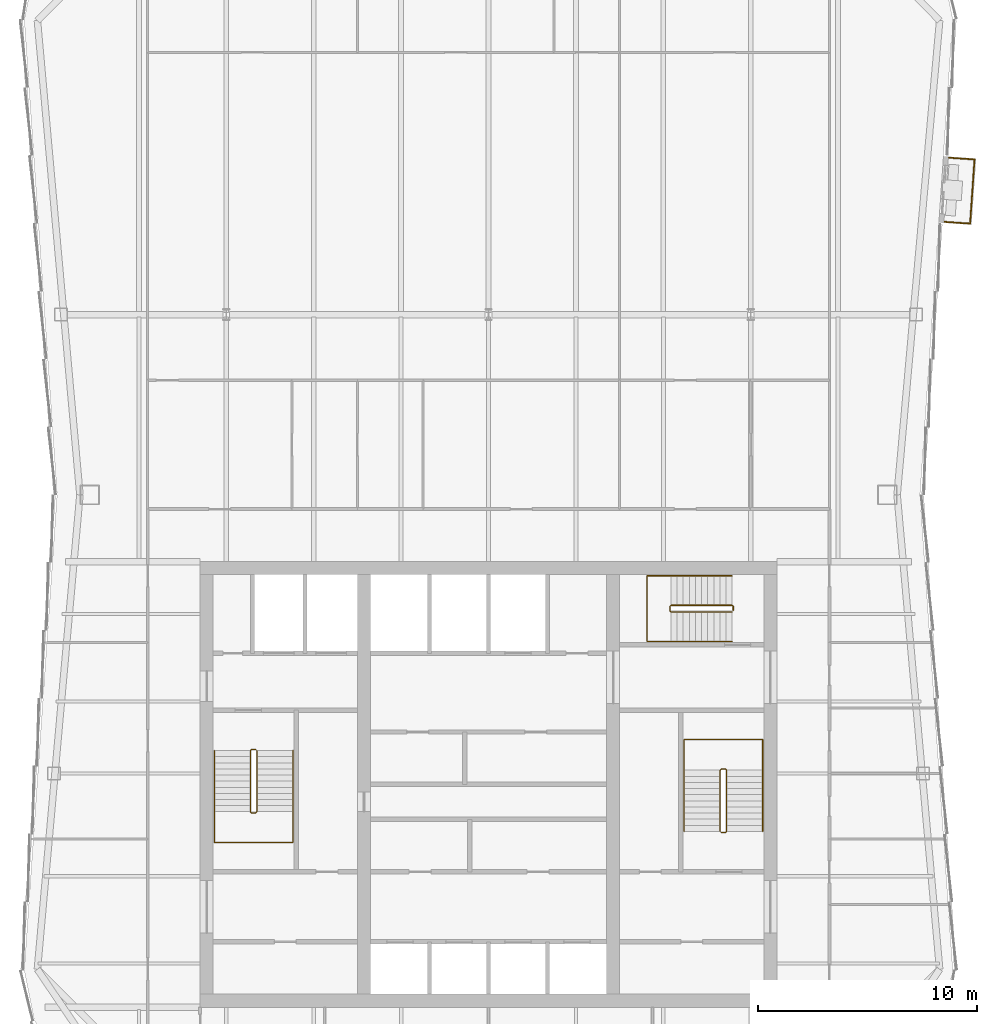
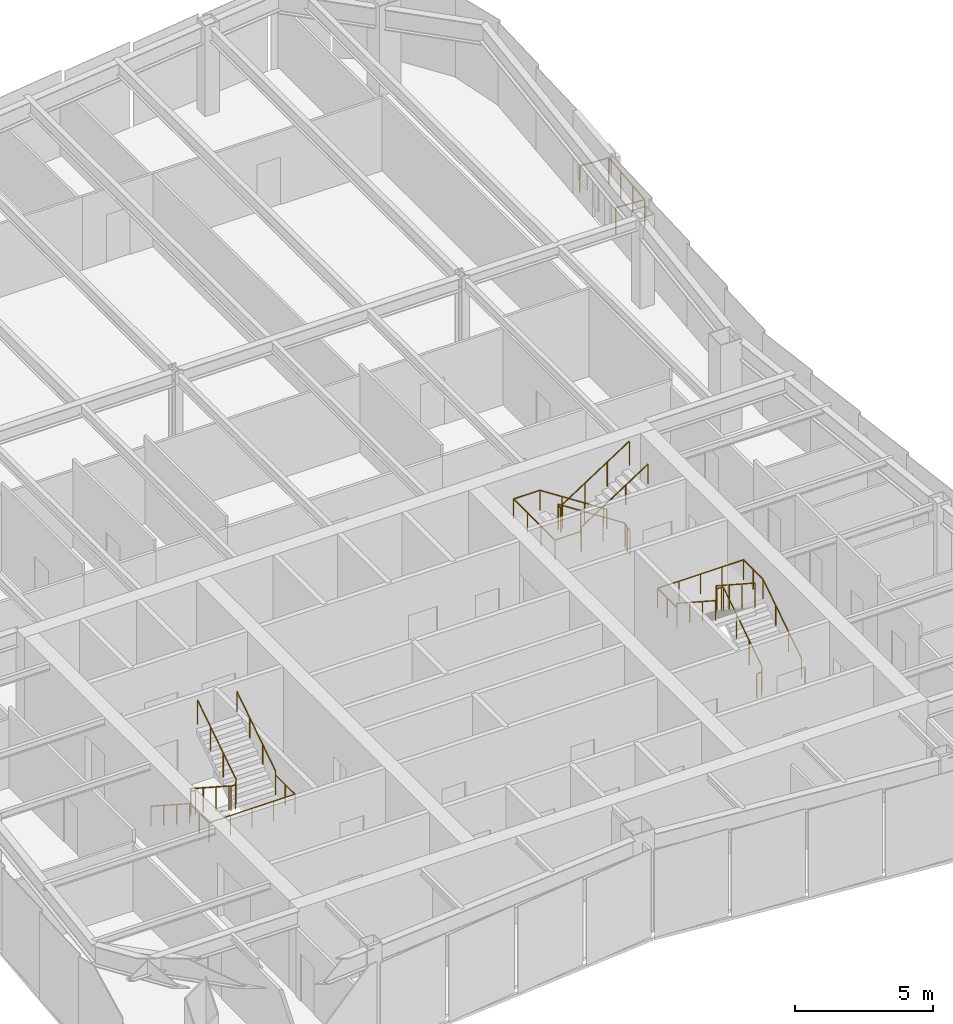
# One storey, part 9 of 10: 7 railings.
"""IFC4 building model written with IfcOpenShell, lengths in metres."""

from ifc_helpers import new_model, si_unit, direction, frame, origin, origin_2d, place, context, subcontext, project, spatial, circle, extrude, material, type_object, element, save


model = new_model("IFC4")

# Units and contexts
model_context = context("Model", 3, precision=1e-05, world=origin(), true_north=direction((0.0, 1.0)))
body_context = subcontext(model_context, "Body", "Model", "MODEL_VIEW")
ifc_project = project(units=[si_unit("LENGTHUNIT", "METRE"), si_unit("AREAUNIT", "SQUARE_METRE"), si_unit("VOLUMEUNIT", "CUBIC_METRE"), si_unit("PLANEANGLEUNIT", "RADIAN"), si_unit("MASSUNIT", "GRAM", prefix="KILO")], contexts=[model_context])

# Site, building, storey
site_placement = place(None, origin())
site = spatial("IfcSite", under=ifc_project, at=site_placement, CompositionType="ELEMENT")
building_placement = place(site_placement, origin())
building = spatial("IfcBuilding", under=site, at=building_placement, Name="Verdant Reach Tower", CompositionType="ELEMENT")
storey_placement = place(building_placement, frame((0.0, 0.0, 310.0)))
storey = spatial("IfcBuildingStorey", under=building, at=storey_placement, Name="L71", CompositionType="ELEMENT", Elevation=310.0)

# Railings
ifc_material_1 = material(Name="Stainless steel", Category="steel")
railing_type_1 = type_object("IfcRailingType", Name="CO-GUARD", PredefinedType="GUARDRAIL", material=ifc_material_1)
railing_1_placement = place(storey_placement, frame((-10.64990234375, 29.60009765625, 0.0)))
element("IfcRailing", 1, at=railing_1_placement, inside=storey, type_object=railing_type_1, Name="L71 ST-1 stair guard 1", PredefinedType="GUARDRAIL", context=body_context, shape_type="SweptSolid", body=[
    extrude(circle(Radius=0.02392578125, at=origin_2d()), frame((0.0, 0.0, 1.076171875), z_axis=(-1.0, 0.0, 0.0), x_axis=(0.0, -1.0, 0.0)), (0.0, 0.0, 1.0), 0.2001953125),
    extrude(circle(Radius=0.02392578125, at=origin_2d()), frame((-0.2001953125, 0.0, 1.076171875), z_axis=(-0.25526617399, -0.256517478764, 0.932222056972), x_axis=(0.708833529934, -0.705375805398, 0.0)), (0.0, 0.0, 1.0), 0.195068359375),
    extrude(circle(Radius=0.02392578125, at=origin_2d()), frame((-0.25, -0.050048828125, 1.2578125), z_axis=(0.0, -0.838705829183, 0.544584733623), x_axis=(1.0, 0.0, 0.0)), (0.0, 0.0, 1.0), 3.338623046875),
    extrude(circle(Radius=0.02392578125, at=origin_2d()), frame((-0.25, -2.85009765625, 3.076171875), z_axis=(0.705375805398, -0.708833529934, 0.0), x_axis=(0.708833529934, 0.705375805398, 0.0)), (0.0, 0.0, 1.0), 0.070556640625),
    extrude(circle(Radius=0.02392578125, at=origin_2d()), frame((-0.2001953125, -2.900146484375, 3.076171875), z_axis=(1.0, 0.0, 0.0), x_axis=(0.0, 1.0, 0.0)), (0.0, 0.0, 1.0), 0.2001953125),
    extrude(circle(Radius=0.02392578125, at=origin_2d()), frame((0.0, -2.900146484375, 3.076171875), z_axis=(0.25526617399, 0.256517478764, 0.932222056972), x_axis=(-0.708833529934, 0.705375805398, 0.0)), (0.0, 0.0, 1.0), 0.195068359375),
    extrude(circle(Radius=0.02392578125, at=origin_2d()), frame((0.0498046875, -2.85009765625, 3.2578125), z_axis=(0.0, 0.838705829183, 0.544584733623), x_axis=(-1.0, 0.0, 0.0)), (0.0, 0.0, 1.0), 3.338623046875),
    extrude(circle(Radius=0.02099609375, at=origin_2d()), origin(), (0.0, 0.0, 1.0), 1.052001953125),
    extrude(circle(Radius=0.02099609375, at=origin_2d()), frame((-0.2001953125, 0.0, 0.0)), (0.0, 0.0, 1.0), 1.052001953125),
    extrude(circle(Radius=0.02099609375, at=origin_2d()), frame((-0.25, -0.050048828125, 0.181884765625)), (0.0, 0.0, 1.0), 1.052001953125),
    extrude(circle(Radius=0.02099609375, at=origin_2d()), frame((-0.25, -0.9833984375, 0.787841796875)), (0.0, 0.0, 1.0), 1.052001953125),
    extrude(circle(Radius=0.02099609375, at=origin_2d()), frame((-0.25, -1.916748046875, 1.39404296875)), (0.0, 0.0, 1.0), 1.052001953125),
    extrude(circle(Radius=0.02099609375, at=origin_2d()), frame((-0.25, -2.85009765625, 2.0)), (0.0, 0.0, 1.0), 1.052001953125),
    extrude(circle(Radius=0.02099609375, at=origin_2d()), frame((-0.2001953125, -2.900146484375, 2.0)), (0.0, 0.0, 1.0), 1.052001953125),
    extrude(circle(Radius=0.02099609375, at=origin_2d()), frame((0.0, -2.900146484375, 2.0)), (0.0, 0.0, 1.0), 1.052001953125),
    extrude(circle(Radius=0.02099609375, at=origin_2d()), frame((0.0498046875, -2.85009765625, 2.181884765625)), (0.0, 0.0, 1.0), 1.052001953125),
    extrude(circle(Radius=0.02099609375, at=origin_2d()), frame((0.0498046875, -1.916748046875, 2.787841796875)), (0.0, 0.0, 1.0), 1.052001953125),
    extrude(circle(Radius=0.02099609375, at=origin_2d()), frame((0.0498046875, -0.9833984375, 3.39404296875)), (0.0, 0.0, 1.0), 1.052001953125),
    extrude(circle(Radius=0.02099609375, at=origin_2d()), frame((0.0498046875, -0.050048828125, 4.0)), (0.0, 0.0, 1.0), 1.052001953125),
])
railing_2_placement = place(storey_placement, frame((10.64990234375, 25.800048828125, 0.0)))
element("IfcRailing", 2, at=railing_2_placement, inside=storey, type_object=railing_type_1, Name="L71 ST-2 stair guard 1", PredefinedType="GUARDRAIL", context=body_context, shape_type="SweptSolid", body=[
    extrude(circle(Radius=0.02392578125, at=origin_2d()), frame((0.0, 0.0, 1.076171875), z_axis=(1.0, 0.0, 0.0), x_axis=(0.0, 1.0, 0.0)), (0.0, 0.0, 1.0), 0.2001953125),
    extrude(circle(Radius=0.02392578125, at=origin_2d()), frame((0.2001953125, 0.0, 1.076171875), z_axis=(0.25526617399, 0.256517478764, 0.932222056972), x_axis=(-0.708833529934, 0.705375805398, 0.0)), (0.0, 0.0, 1.0), 0.195068359375),
    extrude(circle(Radius=0.02392578125, at=origin_2d()), frame((0.25, 0.050048828125, 1.2578125), z_axis=(0.0, 0.83868413941, 0.544618136222), x_axis=(-1.0, 0.0, 0.0)), (0.0, 0.0, 1.0), 3.33837890625),
    extrude(circle(Radius=0.02392578125, at=origin_2d()), frame((0.25, 2.849853515625, 3.076171875), z_axis=(-0.705375805398, 0.708833529934, 0.0), x_axis=(-0.708833529934, -0.705375805398, 0.0)), (0.0, 0.0, 1.0), 0.070556640625),
    extrude(circle(Radius=0.02392578125, at=origin_2d()), frame((0.2001953125, 2.89990234375, 3.076171875), z_axis=(-1.0, 0.0, 0.0), x_axis=(0.0, -1.0, 0.0)), (0.0, 0.0, 1.0), 0.2001953125),
    extrude(circle(Radius=0.02392578125, at=origin_2d()), frame((0.0, 2.89990234375, 3.076171875), z_axis=(-0.25526617399, -0.256517478764, 0.932222056972), x_axis=(0.708833529934, -0.705375805398, 0.0)), (0.0, 0.0, 1.0), 0.195068359375),
    extrude(circle(Radius=0.02392578125, at=origin_2d()), frame((-0.0498046875, 2.849853515625, 3.2578125), z_axis=(0.0, -0.83868413941, 0.544618136222), x_axis=(1.0, 0.0, 0.0)), (0.0, 0.0, 1.0), 3.33837890625),
    extrude(circle(Radius=0.02099609375, at=origin_2d()), origin(), (0.0, 0.0, 1.0), 1.052001953125),
    extrude(circle(Radius=0.02099609375, at=origin_2d()), frame((0.2001953125, 0.0, 0.0)), (0.0, 0.0, 1.0), 1.052001953125),
    extrude(circle(Radius=0.02099609375, at=origin_2d()), frame((0.25, 0.050048828125, 0.181884765625)), (0.0, 0.0, 1.0), 1.052001953125),
    extrude(circle(Radius=0.02099609375, at=origin_2d()), frame((0.25, 0.9833984375, 0.787841796875)), (0.0, 0.0, 1.0), 1.052001953125),
    extrude(circle(Radius=0.02099609375, at=origin_2d()), frame((0.25, 1.91650390625, 1.39404296875)), (0.0, 0.0, 1.0), 1.052001953125),
    extrude(circle(Radius=0.02099609375, at=origin_2d()), frame((0.25, 2.849853515625, 2.0)), (0.0, 0.0, 1.0), 1.052001953125),
    extrude(circle(Radius=0.02099609375, at=origin_2d()), frame((0.2001953125, 2.89990234375, 2.0)), (0.0, 0.0, 1.0), 1.052001953125),
    extrude(circle(Radius=0.02099609375, at=origin_2d()), frame((0.0, 2.89990234375, 2.0)), (0.0, 0.0, 1.0), 1.052001953125),
    extrude(circle(Radius=0.02099609375, at=origin_2d()), frame((-0.0498046875, 2.849853515625, 2.181884765625)), (0.0, 0.0, 1.0), 1.052001953125),
    extrude(circle(Radius=0.02099609375, at=origin_2d()), frame((-0.0498046875, 1.91650390625, 2.787841796875)), (0.0, 0.0, 1.0), 1.052001953125),
    extrude(circle(Radius=0.02099609375, at=origin_2d()), frame((-0.0498046875, 0.9833984375, 3.39404296875)), (0.0, 0.0, 1.0), 1.052001953125),
    extrude(circle(Radius=0.02099609375, at=origin_2d()), frame((-0.0498046875, 0.050048828125, 4.0)), (0.0, 0.0, 1.0), 1.052001953125),
])
railing_3_placement = place(storey_placement, frame((11.199951171875, 35.949951171875, 0.0)))
element("IfcRailing", 3, at=railing_3_placement, inside=storey, type_object=railing_type_1, Name="L71 ST-3 stair guard 1", PredefinedType="GUARDRAIL", context=body_context, shape_type="SweptSolid", body=[
    extrude(circle(Radius=0.02392578125, at=origin_2d()), frame((0.0, 0.0, 1.076171875), z_axis=(0.0, 1.0, 0.0), x_axis=(-1.0, 0.0, 0.0)), (0.0, 0.0, 1.0), 0.199951171875),
    extrude(circle(Radius=0.02392578125, at=origin_2d()), frame((0.0, 0.199951171875, 1.076171875), z_axis=(-0.256435381639, 0.256435381639, 0.931923704005), x_axis=(-0.707106781187, -0.707106781187, 0.0)), (0.0, 0.0, 1.0), 0.195068359375),
    extrude(circle(Radius=0.02392578125, at=origin_2d()), frame((-0.050048828125, 0.25, 1.2578125), z_axis=(-0.83868413941, 0.0, 0.544618136222), x_axis=(0.0, -1.0, 0.0)), (0.0, 0.0, 1.0), 3.33837890625),
    extrude(circle(Radius=0.02392578125, at=origin_2d()), frame((-2.849853515625, 0.25, 3.076171875), z_axis=(-0.707106781187, -0.707106781187, 0.0), x_axis=(0.707106781187, -0.707106781187, 0.0)), (0.0, 0.0, 1.0), 0.07080078125),
    extrude(circle(Radius=0.02392578125, at=origin_2d()), frame((-2.89990234375, 0.199951171875, 3.076171875), z_axis=(0.0, -1.0, 0.0), x_axis=(1.0, 0.0, 0.0)), (0.0, 0.0, 1.0), 0.199951171875),
    extrude(circle(Radius=0.02392578125, at=origin_2d()), frame((-2.89990234375, 0.0, 3.076171875), z_axis=(0.256435381639, -0.256435381639, 0.931923704005), x_axis=(0.707106781187, 0.707106781187, 0.0)), (0.0, 0.0, 1.0), 0.195068359375),
    extrude(circle(Radius=0.02392578125, at=origin_2d()), frame((-2.849853515625, -0.050048828125, 3.2578125), z_axis=(0.83868413941, 0.0, 0.544618136222), x_axis=(0.0, 1.0, 0.0)), (0.0, 0.0, 1.0), 3.33837890625),
    extrude(circle(Radius=0.02099609375, at=origin_2d()), origin(), (0.0, 0.0, 1.0), 1.052001953125),
    extrude(circle(Radius=0.02099609375, at=origin_2d()), frame((0.0, 0.199951171875, 0.0)), (0.0, 0.0, 1.0), 1.052001953125),
    extrude(circle(Radius=0.02099609375, at=origin_2d()), frame((-0.050048828125, 0.25, 0.181884765625)), (0.0, 0.0, 1.0), 1.052001953125),
    extrude(circle(Radius=0.02099609375, at=origin_2d()), frame((-0.9833984375, 0.25, 0.787841796875)), (0.0, 0.0, 1.0), 1.052001953125),
    extrude(circle(Radius=0.02099609375, at=origin_2d()), frame((-1.91650390625, 0.25, 1.39404296875)), (0.0, 0.0, 1.0), 1.052001953125),
    extrude(circle(Radius=0.02099609375, at=origin_2d()), frame((-2.849853515625, 0.25, 2.0)), (0.0, 0.0, 1.0), 1.052001953125),
    extrude(circle(Radius=0.02099609375, at=origin_2d()), frame((-2.89990234375, 0.199951171875, 2.0)), (0.0, 0.0, 1.0), 1.052001953125),
    extrude(circle(Radius=0.02099609375, at=origin_2d()), frame((-2.89990234375, 0.0, 2.0)), (0.0, 0.0, 1.0), 1.052001953125),
    extrude(circle(Radius=0.02099609375, at=origin_2d()), frame((-2.849853515625, -0.050048828125, 2.181884765625)), (0.0, 0.0, 1.0), 1.052001953125),
    extrude(circle(Radius=0.02099609375, at=origin_2d()), frame((-1.91650390625, -0.050048828125, 2.787841796875)), (0.0, 0.0, 1.0), 1.052001953125),
    extrude(circle(Radius=0.02099609375, at=origin_2d()), frame((-0.9833984375, -0.050048828125, 3.39404296875)), (0.0, 0.0, 1.0), 1.052001953125),
    extrude(circle(Radius=0.02099609375, at=origin_2d()), frame((-0.050048828125, -0.050048828125, 4.0)), (0.0, 0.0, 1.0), 1.052001953125),
])
railing_type_2 = type_object("IfcRailingType", Name="CO-HANDRAIL", PredefinedType="HANDRAIL", material=ifc_material_1)
railing_4_placement = place(storey_placement, frame((-12.550048828125, 29.550048828125, 0.181884765625)))
element("IfcRailing", 4, at=railing_4_placement, inside=storey, type_object=railing_type_2, Name="L71 ST-1 stair handrail 1", PredefinedType="HANDRAIL", context=body_context, shape_type="SweptSolid", body=[
    extrude(circle(Radius=0.02392578125, at=origin_2d()), frame((0.0, 0.0, 0.8759765625), z_axis=(0.0, -0.838705829183, 0.544584733623), x_axis=(1.0, 0.0, 0.0)), (0.0, 0.0, 1.0), 3.338623046875),
    extrude(circle(Radius=0.02392578125, at=origin_2d()), frame((0.0, -2.800048828125, 2.69384765625), z_axis=(0.0, -1.0, 0.0), x_axis=(1.0, 0.0, 0.0)), (0.0, 0.0, 1.0), 1.39990234375),
    extrude(circle(Radius=0.02392578125, at=origin_2d()), frame((0.0, -4.199951171875, 2.69384765625), z_axis=(1.0, 0.0, 0.0), x_axis=(0.0, 1.0, 0.0)), (0.0, 0.0, 1.0), 3.60009765625),
    extrude(circle(Radius=0.02392578125, at=origin_2d()), frame((3.60009765625, -4.199951171875, 2.69384765625), z_axis=(0.0, 1.0, 0.0), x_axis=(-1.0, 0.0, 0.0)), (0.0, 0.0, 1.0), 1.39990234375),
    extrude(circle(Radius=0.02392578125, at=origin_2d()), frame((3.60009765625, -2.800048828125, 2.69384765625), z_axis=(0.0, 0.0, 1.0), x_axis=(1.0, 0.0, 0.0)), (0.0, 0.0, 1.0), 0.181884765625),
    extrude(circle(Radius=0.02392578125, at=origin_2d()), frame((3.60009765625, -2.800048828125, 2.8759765625), z_axis=(0.0, 0.838705829183, 0.544584733623), x_axis=(-1.0, 0.0, 0.0)), (0.0, 0.0, 1.0), 3.338623046875),
    extrude(circle(Radius=0.02099609375, at=origin_2d()), origin(), (0.0, 0.0, 1.0), 0.851806640625),
    extrude(circle(Radius=0.02099609375, at=origin_2d()), frame((0.0, -0.933349609375, 0.60595703125)), (0.0, 0.0, 1.0), 0.851806640625),
    extrude(circle(Radius=0.02099609375, at=origin_2d()), frame((0.0, -1.86669921875, 1.212158203125)), (0.0, 0.0, 1.0), 0.851806640625),
    extrude(circle(Radius=0.02099609375, at=origin_2d()), frame((0.0, -2.800048828125, 1.818115234375)), (0.0, 0.0, 1.0), 0.851806640625),
    extrude(circle(Radius=0.02099609375, at=origin_2d()), frame((0.0, -3.5, 1.818115234375)), (0.0, 0.0, 1.0), 0.851806640625),
    extrude(circle(Radius=0.02099609375, at=origin_2d()), frame((0.0, -4.199951171875, 1.818115234375)), (0.0, 0.0, 1.0), 0.851806640625),
    extrude(circle(Radius=0.02099609375, at=origin_2d()), frame((0.89990234375, -4.199951171875, 1.818115234375)), (0.0, 0.0, 1.0), 0.851806640625),
    extrude(circle(Radius=0.02099609375, at=origin_2d()), frame((1.800048828125, -4.199951171875, 1.818115234375)), (0.0, 0.0, 1.0), 0.851806640625),
    extrude(circle(Radius=0.02099609375, at=origin_2d()), frame((2.7001953125, -4.199951171875, 1.818115234375)), (0.0, 0.0, 1.0), 0.851806640625),
    extrude(circle(Radius=0.02099609375, at=origin_2d()), frame((3.60009765625, -4.199951171875, 1.818115234375)), (0.0, 0.0, 1.0), 0.851806640625),
    extrude(circle(Radius=0.02099609375, at=origin_2d()), frame((3.60009765625, -3.5, 1.818115234375)), (0.0, 0.0, 1.0), 0.851806640625),
    extrude(circle(Radius=0.02099609375, at=origin_2d()), frame((3.60009765625, -2.800048828125, 1.818115234375)), (0.0, 0.0, 1.0), 0.851806640625),
    extrude(circle(Radius=0.02099609375, at=origin_2d()), frame((3.60009765625, -2.800048828125, 2.0)), (0.0, 0.0, 1.0), 0.851806640625),
    extrude(circle(Radius=0.02099609375, at=origin_2d()), frame((3.60009765625, -1.86669921875, 2.60595703125)), (0.0, 0.0, 1.0), 0.851806640625),
    extrude(circle(Radius=0.02099609375, at=origin_2d()), frame((3.60009765625, -0.933349609375, 3.212158203125)), (0.0, 0.0, 1.0), 0.851806640625),
    extrude(circle(Radius=0.02099609375, at=origin_2d()), frame((3.60009765625, 0.0, 3.818115234375)), (0.0, 0.0, 1.0), 0.851806640625),
])
railing_5_placement = place(storey_placement, frame((12.550048828125, 25.85009765625, 0.181884765625)))
element("IfcRailing", 5, at=railing_5_placement, inside=storey, type_object=railing_type_2, Name="L71 ST-2 stair handrail 1", PredefinedType="HANDRAIL", context=body_context, shape_type="SweptSolid", body=[
    extrude(circle(Radius=0.02392578125, at=origin_2d()), frame((0.0, 0.0, 0.8759765625), z_axis=(0.0, 0.83868413941, 0.544618136222), x_axis=(-1.0, 0.0, 0.0)), (0.0, 0.0, 1.0), 3.33837890625),
    extrude(circle(Radius=0.02392578125, at=origin_2d()), frame((0.0, 2.7998046875, 2.69384765625), z_axis=(0.0, 1.0, 0.0), x_axis=(-1.0, 0.0, 0.0)), (0.0, 0.0, 1.0), 1.400146484375),
    extrude(circle(Radius=0.02392578125, at=origin_2d()), frame((0.0, 4.199951171875, 2.69384765625), z_axis=(-1.0, 0.0, 0.0), x_axis=(0.0, -1.0, 0.0)), (0.0, 0.0, 1.0), 3.60009765625),
    extrude(circle(Radius=0.02392578125, at=origin_2d()), frame((-3.60009765625, 4.199951171875, 2.69384765625), z_axis=(0.0, -1.0, 0.0), x_axis=(1.0, 0.0, 0.0)), (0.0, 0.0, 1.0), 1.400146484375),
    extrude(circle(Radius=0.02392578125, at=origin_2d()), frame((-3.60009765625, 2.7998046875, 2.69384765625), z_axis=(0.0, 0.0, 1.0), x_axis=(1.0, 0.0, 0.0)), (0.0, 0.0, 1.0), 0.181884765625),
    extrude(circle(Radius=0.02392578125, at=origin_2d()), frame((-3.60009765625, 2.7998046875, 2.8759765625), z_axis=(0.0, -0.83868413941, 0.544618136222), x_axis=(1.0, 0.0, 0.0)), (0.0, 0.0, 1.0), 3.33837890625),
    extrude(circle(Radius=0.02099609375, at=origin_2d()), origin(), (0.0, 0.0, 1.0), 0.851806640625),
    extrude(circle(Radius=0.02099609375, at=origin_2d()), frame((0.0, 0.933349609375, 0.60595703125)), (0.0, 0.0, 1.0), 0.851806640625),
    extrude(circle(Radius=0.02099609375, at=origin_2d()), frame((0.0, 1.866455078125, 1.212158203125)), (0.0, 0.0, 1.0), 0.851806640625),
    extrude(circle(Radius=0.02099609375, at=origin_2d()), frame((0.0, 2.7998046875, 1.818115234375)), (0.0, 0.0, 1.0), 0.851806640625),
    extrude(circle(Radius=0.02099609375, at=origin_2d()), frame((0.0, 3.5, 1.818115234375)), (0.0, 0.0, 1.0), 0.851806640625),
    extrude(circle(Radius=0.02099609375, at=origin_2d()), frame((0.0, 4.199951171875, 1.818115234375)), (0.0, 0.0, 1.0), 0.851806640625),
    extrude(circle(Radius=0.02099609375, at=origin_2d()), frame((-0.89990234375, 4.199951171875, 1.818115234375)), (0.0, 0.0, 1.0), 0.851806640625),
    extrude(circle(Radius=0.02099609375, at=origin_2d()), frame((-1.800048828125, 4.199951171875, 1.818115234375)), (0.0, 0.0, 1.0), 0.851806640625),
    extrude(circle(Radius=0.02099609375, at=origin_2d()), frame((-2.7001953125, 4.199951171875, 1.818115234375)), (0.0, 0.0, 1.0), 0.851806640625),
    extrude(circle(Radius=0.02099609375, at=origin_2d()), frame((-3.60009765625, 4.199951171875, 1.818115234375)), (0.0, 0.0, 1.0), 0.851806640625),
    extrude(circle(Radius=0.02099609375, at=origin_2d()), frame((-3.60009765625, 3.5, 1.818115234375)), (0.0, 0.0, 1.0), 0.851806640625),
    extrude(circle(Radius=0.02099609375, at=origin_2d()), frame((-3.60009765625, 2.7998046875, 1.818115234375)), (0.0, 0.0, 1.0), 0.851806640625),
    extrude(circle(Radius=0.02099609375, at=origin_2d()), frame((-3.60009765625, 2.7998046875, 2.0)), (0.0, 0.0, 1.0), 0.851806640625),
    extrude(circle(Radius=0.02099609375, at=origin_2d()), frame((-3.60009765625, 1.866455078125, 2.60595703125)), (0.0, 0.0, 1.0), 0.851806640625),
    extrude(circle(Radius=0.02099609375, at=origin_2d()), frame((-3.60009765625, 0.933349609375, 3.212158203125)), (0.0, 0.0, 1.0), 0.851806640625),
    extrude(circle(Radius=0.02099609375, at=origin_2d()), frame((-3.60009765625, 0.0, 3.818115234375)), (0.0, 0.0, 1.0), 0.851806640625),
])
railing_6_placement = place(storey_placement, frame((11.14990234375, 37.550048828125, 0.181884765625)))
element("IfcRailing", 6, at=railing_6_placement, inside=storey, type_object=railing_type_2, Name="L71 ST-3 stair handrail 1", PredefinedType="HANDRAIL", context=body_context, shape_type="SweptSolid", body=[
    extrude(circle(Radius=0.02392578125, at=origin_2d()), frame((0.0, 0.0, 0.8759765625), z_axis=(-0.83868413941, 0.0, 0.544618136222), x_axis=(0.0, -1.0, 0.0)), (0.0, 0.0, 1.0), 3.33837890625),
    extrude(circle(Radius=0.02392578125, at=origin_2d()), frame((-2.7998046875, 0.0, 2.69384765625), z_axis=(-1.0, 0.0, 0.0), x_axis=(0.0, -1.0, 0.0)), (0.0, 0.0, 1.0), 1.10009765625),
    extrude(circle(Radius=0.02392578125, at=origin_2d()), frame((-3.89990234375, 0.0, 2.69384765625), z_axis=(0.0, -1.0, 0.0), x_axis=(1.0, 0.0, 0.0)), (0.0, 0.0, 1.0), 3.0),
    extrude(circle(Radius=0.02392578125, at=origin_2d()), frame((-3.89990234375, -3.0, 2.69384765625), z_axis=(1.0, 0.0, 0.0), x_axis=(0.0, 1.0, 0.0)), (0.0, 0.0, 1.0), 1.10009765625),
    extrude(circle(Radius=0.02392578125, at=origin_2d()), frame((-2.7998046875, -3.0, 2.69384765625), z_axis=(0.0, 0.0, 1.0), x_axis=(1.0, 0.0, 0.0)), (0.0, 0.0, 1.0), 0.181884765625),
    extrude(circle(Radius=0.02392578125, at=origin_2d()), frame((-2.7998046875, -3.0, 2.8759765625), z_axis=(0.83868413941, 0.0, 0.544618136222), x_axis=(0.0, 1.0, 0.0)), (0.0, 0.0, 1.0), 3.33837890625),
    extrude(circle(Radius=0.02099609375, at=origin_2d()), origin(), (0.0, 0.0, 1.0), 0.851806640625),
    extrude(circle(Radius=0.02099609375, at=origin_2d()), frame((-0.933349609375, 0.0, 0.60595703125)), (0.0, 0.0, 1.0), 0.851806640625),
    extrude(circle(Radius=0.02099609375, at=origin_2d()), frame((-1.866455078125, 0.0, 1.212158203125)), (0.0, 0.0, 1.0), 0.851806640625),
    extrude(circle(Radius=0.02099609375, at=origin_2d()), frame((-2.7998046875, 0.0, 1.818115234375)), (0.0, 0.0, 1.0), 0.851806640625),
    extrude(circle(Radius=0.02099609375, at=origin_2d()), frame((-3.89990234375, 0.0, 1.818115234375)), (0.0, 0.0, 1.0), 0.851806640625),
    extrude(circle(Radius=0.02099609375, at=origin_2d()), frame((-3.89990234375, -1.0, 1.818115234375)), (0.0, 0.0, 1.0), 0.851806640625),
    extrude(circle(Radius=0.02099609375, at=origin_2d()), frame((-3.89990234375, -2.0, 1.818115234375)), (0.0, 0.0, 1.0), 0.851806640625),
    extrude(circle(Radius=0.02099609375, at=origin_2d()), frame((-3.89990234375, -3.0, 1.818115234375)), (0.0, 0.0, 1.0), 0.851806640625),
    extrude(circle(Radius=0.02099609375, at=origin_2d()), frame((-2.7998046875, -3.0, 1.818115234375)), (0.0, 0.0, 1.0), 0.851806640625),
    extrude(circle(Radius=0.02099609375, at=origin_2d()), frame((-2.7998046875, -3.0, 2.0)), (0.0, 0.0, 1.0), 0.851806640625),
    extrude(circle(Radius=0.02099609375, at=origin_2d()), frame((-1.866455078125, -3.0, 2.60595703125)), (0.0, 0.0, 1.0), 0.851806640625),
    extrude(circle(Radius=0.02099609375, at=origin_2d()), frame((-0.933349609375, -3.0, 3.212158203125)), (0.0, 0.0, 1.0), 0.851806640625),
    extrude(circle(Radius=0.02099609375, at=origin_2d()), frame((0.0, -3.0, 3.818115234375)), (0.0, 0.0, 1.0), 0.851806640625),
])
ifc_material_2 = material(Name="Stainless steel and laminated glass balustrade", Category="steel")
railing_type_3 = type_object("IfcRailingType", Name="EN-RAILING BALCONY", PredefinedType="GUARDRAIL", material=ifc_material_2)
railing_7_placement = place(storey_placement, frame((20.872314453125, 53.745361328125, 0.0)))
element("IfcRailing", 7, at=railing_7_placement, inside=storey, type_object=railing_type_3, Name="Balcony guard 1, L71", PredefinedType="GUARDRAIL", context=body_context, shape_type="SweptSolid", body=[
    extrude(circle(Radius=0.02490234375, at=origin_2d()), frame((0.0, 0.0, 1.1748046875), z_axis=(0.997640688741, -0.068651701861, 0.0), x_axis=(0.068651701861, 0.997640688741, 0.0)), (0.0, 0.0, 1.0), 1.169921875),
    extrude(circle(Radius=0.02490234375, at=origin_2d()), frame((1.167236328125, -0.080322265625, 1.1748046875), z_axis=(0.068819165156, 0.997629150791, 0.0), x_axis=(-0.997629150791, 0.068819165156, 0.0)), (0.0, 0.0, 1.0), 2.944580078125),
    extrude(circle(Radius=0.02490234375, at=origin_2d()), frame((1.369873046875, 2.857177734375, 1.1748046875), z_axis=(-0.997626375729, 0.068859381717, 0.0), x_axis=(-0.068859381717, -0.997626375729, 0.0)), (0.0, 0.0, 1.0), 1.169921875),
    extrude(circle(Radius=0.02490234375, at=origin_2d()), origin(), (0.0, 0.0, 1.0), 1.14990234375),
    extrude(circle(Radius=0.02490234375, at=origin_2d()), frame((1.167236328125, -0.080322265625, 0.0)), (0.0, 0.0, 1.0), 1.14990234375),
    extrude(circle(Radius=0.02490234375, at=origin_2d()), frame((1.23486328125, 0.89892578125, 0.0)), (0.0, 0.0, 1.0), 1.14990234375),
    extrude(circle(Radius=0.02490234375, at=origin_2d()), frame((1.30224609375, 1.8779296875, 0.0)), (0.0, 0.0, 1.0), 1.14990234375),
    extrude(circle(Radius=0.02490234375, at=origin_2d()), frame((1.369873046875, 2.857177734375, 0.0)), (0.0, 0.0, 1.0), 1.14990234375),
    extrude(circle(Radius=0.02490234375, at=origin_2d()), frame((0.20263671875, 2.937744140625, 0.0)), (0.0, 0.0, 1.0), 1.14990234375),
])

save(model, "model.ifc")
